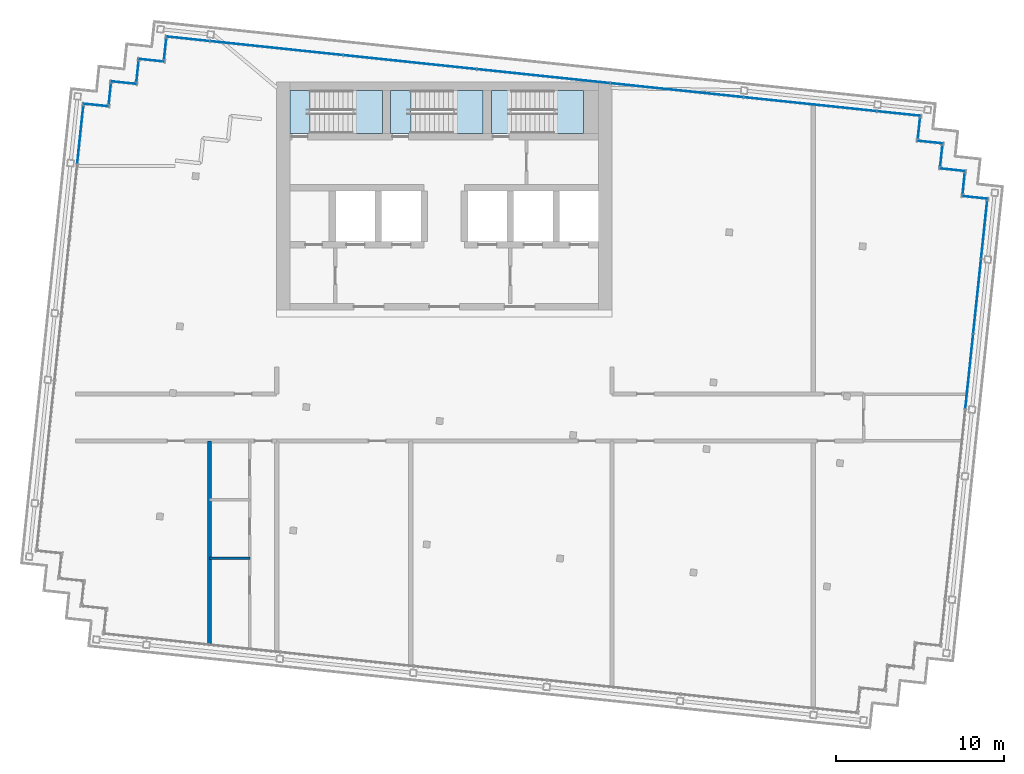
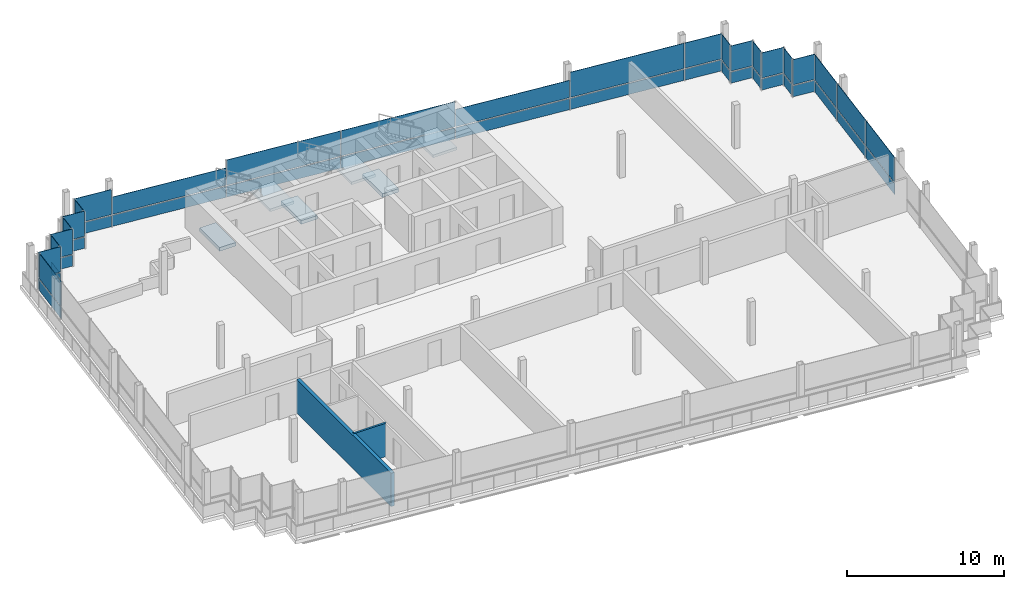
# One storey, part 10 of 15: 46 plates, 6 slabs, 2 walls, 18 elements without a shape of their own.
"""IFC4 building model written with IfcOpenShell, lengths in metres."""

from ifc_helpers import new_model, si_unit, direction, frame, frame_2d, origin, origin_2d, place, context, subcontext, project, spatial, polyline, rectangle, outline, extrude, material, layer, layer_set, type_object, element, aggregate, save


model = new_model("IFC4")

# Units and contexts
model_context = context("Model", 3, precision=1e-05, world=origin(), true_north=direction((0.0, 1.0)))
body_context = subcontext(model_context, "Body", "Model", "MODEL_VIEW")
ifc_project = project(units=[si_unit("LENGTHUNIT", "METRE"), si_unit("AREAUNIT", "SQUARE_METRE"), si_unit("VOLUMEUNIT", "CUBIC_METRE"), si_unit("PLANEANGLEUNIT", "RADIAN"), si_unit("MASSUNIT", "GRAM", prefix="KILO")], contexts=[model_context])

# Site, building, storey
site_placement = place(None, origin())
site = spatial("IfcSite", under=ifc_project, at=site_placement, CompositionType="ELEMENT")
building_placement = place(site_placement, origin())
building = spatial("IfcBuilding", under=site, at=building_placement, Name="Vidyagriha Tower", CompositionType="ELEMENT")
storey_placement = place(building_placement, frame((0.0, 0.0, 298.300048828125)))
storey = spatial("IfcBuildingStorey", under=building, at=storey_placement, Name="L77", CompositionType="ELEMENT", Elevation=298.300048828125)

# Curtain wall, plates
ifc_material_1 = material(Name="Aluminium and glass curtain wall", Category="aluminium")
curtain_wall_type = type_object("IfcCurtainWallType", Name="Lantern glazing wall", PredefinedType="USERDEFINED", material=ifc_material_1)
curtain_wall_1_placement = place(storey_placement, origin())
curtain_wall_1 = element("IfcCurtainWall", 1, at=curtain_wall_1_placement, inside=storey, type_object=curtain_wall_type, Name="CW4 lantern glazing", ObjectType="STICK GLAZING", PredefinedType="USERDEFINED")
ifc_material_2 = material(Name="Glass clear low-iron", Category="glass")
ifc_layer_1 = layer(ifc_material_2, 0.031982421875)
ifc_layer_set_1 = layer_set([ifc_layer_1], Name="Glass clear low-iron")
plate_type = type_object("IfcPlateType", Name="Clear lantern glass panel", PredefinedType="CURTAIN_PANEL", material=ifc_layer_set_1)
plate_1_placement = place(storey_placement, frame((31.64111328125, 13.125244140625, 0.0), z_axis=(0.0, 0.0, 1.0), x_axis=(-0.99452853646, 0.104465258184, 0.0)))
plate_1 = element("IfcPlate", 2, at=plate_1_placement, type_object=plate_type, Name="CW4 panel 1.1", PredefinedType="CURTAIN_PANEL", context=body_context, shape_type="SweptSolid", body=[
    extrude(rectangle(XDim=1.539794921875, YDim=0.031982421875, at=origin_2d()), origin(), (0.0, 0.0, 1.0), 0.860107421875),
])
plate_2_placement = place(storey_placement, frame((31.64111328125, 13.125244140625, 0.93994140625), z_axis=(0.0, 0.0, 1.0), x_axis=(-0.99452853646, 0.104465258184, 0.0)))
plate_2 = element("IfcPlate", 3, at=plate_2_placement, type_object=plate_type, Name="CW4 panel 1.2", PredefinedType="CURTAIN_PANEL", context=body_context, shape_type="SweptSolid", body=[
    extrude(rectangle(XDim=1.539794921875, YDim=0.031982421875, at=origin_2d()), origin(), (0.0, 0.0, 1.0), 1.9599609375),
])
aggregate(curtain_wall_1, [plate_1, plate_2])

curtain_wall_2_placement = place(storey_placement, origin())
curtain_wall_2 = element("IfcCurtainWall", 4, at=curtain_wall_2_placement, inside=storey, type_object=curtain_wall_type, Name="CW4 lantern glazing", ObjectType="STICK GLAZING", PredefinedType="USERDEFINED")
plate_3_placement = place(storey_placement, frame((30.973876953125, 13.949462890625, 0.0), z_axis=(0.0, 0.0, 1.0), x_axis=(0.104475014354, 0.994527511623, 0.0)))
plate_3 = element("IfcPlate", 5, at=plate_3_placement, type_object=plate_type, Name="CW4 panel 1.1", PredefinedType="CURTAIN_PANEL", context=body_context, shape_type="SweptSolid", body=[
    extrude(rectangle(XDim=1.219970703125, YDim=0.031982421875, at=origin_2d()), origin(), (0.0, 0.0, 1.0), 0.860107421875),
])
plate_4_placement = place(storey_placement, frame((30.973876953125, 13.949462890625, 0.93994140625), z_axis=(0.0, 0.0, 1.0), x_axis=(0.104475014354, 0.994527511623, 0.0)))
plate_4 = element("IfcPlate", 6, at=plate_4_placement, type_object=plate_type, Name="CW4 panel 1.2", PredefinedType="CURTAIN_PANEL", context=body_context, shape_type="SweptSolid", body=[
    extrude(rectangle(XDim=1.219970703125, YDim=0.031982421875, at=origin_2d()), origin(), (0.0, 0.0, 1.0), 1.9599609375),
])
aggregate(curtain_wall_2, [plate_3, plate_4])

curtain_wall_3_placement = place(storey_placement, origin())
curtain_wall_3 = element("IfcCurtainWall", 7, at=curtain_wall_3_placement, inside=storey, type_object=curtain_wall_type, Name="CW4 lantern glazing", ObjectType="STICK GLAZING", PredefinedType="USERDEFINED")
plate_5_placement = place(storey_placement, frame((30.30615234375, 14.773681640625, 0.0), z_axis=(0.0, 0.0, 1.0), x_axis=(-0.994522933756, 0.104518583201, 0.0)))
plate_5 = element("IfcPlate", 8, at=plate_5_placement, type_object=plate_type, Name="CW4 panel 1.1", PredefinedType="CURTAIN_PANEL", context=body_context, shape_type="SweptSolid", body=[
    extrude(rectangle(XDim=1.5400390625, YDim=0.031982421875, at=origin_2d()), origin(), (0.0, 0.0, 1.0), 0.860107421875),
])
plate_6_placement = place(storey_placement, frame((30.30615234375, 14.773681640625, 0.93994140625), z_axis=(0.0, 0.0, 1.0), x_axis=(-0.994522933756, 0.104518583201, 0.0)))
plate_6 = element("IfcPlate", 9, at=plate_6_placement, type_object=plate_type, Name="CW4 panel 1.2", PredefinedType="CURTAIN_PANEL", context=body_context, shape_type="SweptSolid", body=[
    extrude(rectangle(XDim=1.5400390625, YDim=0.031982421875, at=origin_2d()), origin(), (0.0, 0.0, 1.0), 1.9599609375),
])
aggregate(curtain_wall_3, [plate_5, plate_6])

curtain_wall_4_placement = place(storey_placement, origin())
curtain_wall_4 = element("IfcCurtainWall", 10, at=curtain_wall_4_placement, inside=storey, type_object=curtain_wall_type, Name="CW4 lantern glazing", ObjectType="STICK GLAZING", PredefinedType="USERDEFINED")
plate_7_placement = place(storey_placement, frame((29.638916015625, 15.59814453125, 0.0), z_axis=(0.0, 0.0, 1.0), x_axis=(0.104556583677, 0.994518939392, 0.0)))
plate_7 = element("IfcPlate", 11, at=plate_7_placement, type_object=plate_type, Name="CW4 panel 1.1", PredefinedType="CURTAIN_PANEL", context=body_context, shape_type="SweptSolid", body=[
    extrude(rectangle(XDim=1.219970703125, YDim=0.031982421875, at=origin_2d()), origin(), (0.0, 0.0, 1.0), 0.860107421875),
])
plate_8_placement = place(storey_placement, frame((29.638916015625, 15.59814453125, 0.93994140625), z_axis=(0.0, 0.0, 1.0), x_axis=(0.104556583677, 0.994518939392, 0.0)))
plate_8 = element("IfcPlate", 12, at=plate_8_placement, type_object=plate_type, Name="CW4 panel 1.2", PredefinedType="CURTAIN_PANEL", context=body_context, shape_type="SweptSolid", body=[
    extrude(rectangle(XDim=1.219970703125, YDim=0.031982421875, at=origin_2d()), origin(), (0.0, 0.0, 1.0), 1.9599609375),
])
aggregate(curtain_wall_4, [plate_7, plate_8])

curtain_wall_5_placement = place(storey_placement, origin())
curtain_wall_5 = element("IfcCurtainWall", 13, at=curtain_wall_5_placement, inside=storey, type_object=curtain_wall_type, Name="CW4 lantern glazing", ObjectType="STICK GLAZING", PredefinedType="USERDEFINED")
plate_9_placement = place(storey_placement, frame((28.97119140625, 16.42236328125, 0.0), z_axis=(0.0, 0.0, 1.0), x_axis=(-0.994522933756, 0.104518583201, 0.0)))
plate_9 = element("IfcPlate", 14, at=plate_9_placement, type_object=plate_type, Name="CW4 panel 1.1", PredefinedType="CURTAIN_PANEL", context=body_context, shape_type="SweptSolid", body=[
    extrude(rectangle(XDim=1.5400390625, YDim=0.031982421875, at=origin_2d()), origin(), (0.0, 0.0, 1.0), 0.860107421875),
])
plate_10_placement = place(storey_placement, frame((28.97119140625, 16.42236328125, 0.93994140625), z_axis=(0.0, 0.0, 1.0), x_axis=(-0.994522933756, 0.104518583201, 0.0)))
plate_10 = element("IfcPlate", 15, at=plate_10_placement, type_object=plate_type, Name="CW4 panel 1.2", PredefinedType="CURTAIN_PANEL", context=body_context, shape_type="SweptSolid", body=[
    extrude(rectangle(XDim=1.5400390625, YDim=0.031982421875, at=origin_2d()), origin(), (0.0, 0.0, 1.0), 1.9599609375),
])
aggregate(curtain_wall_5, [plate_9, plate_10])

curtain_wall_6_placement = place(storey_placement, origin())
curtain_wall_6 = element("IfcCurtainWall", 16, at=curtain_wall_6_placement, inside=storey, type_object=curtain_wall_type, Name="CW4 lantern glazing", ObjectType="STICK GLAZING", PredefinedType="USERDEFINED")
plate_11_placement = place(storey_placement, frame((28.3037109375, 17.24658203125, 0.0), z_axis=(0.0, 0.0, 1.0), x_axis=(0.104556583677, 0.994518939392, 0.0)))
plate_11 = element("IfcPlate", 17, at=plate_11_placement, type_object=plate_type, Name="CW4 panel 1.1", PredefinedType="CURTAIN_PANEL", context=body_context, shape_type="SweptSolid", body=[
    extrude(rectangle(XDim=1.219970703125, YDim=0.031982421875, at=origin_2d()), origin(), (0.0, 0.0, 1.0), 0.860107421875),
])
plate_12_placement = place(storey_placement, frame((28.3037109375, 17.24658203125, 0.93994140625), z_axis=(0.0, 0.0, 1.0), x_axis=(0.104556583677, 0.994518939392, 0.0)))
plate_12 = element("IfcPlate", 18, at=plate_12_placement, type_object=plate_type, Name="CW4 panel 1.2", PredefinedType="CURTAIN_PANEL", context=body_context, shape_type="SweptSolid", body=[
    extrude(rectangle(XDim=1.219970703125, YDim=0.031982421875, at=origin_2d()), origin(), (0.0, 0.0, 1.0), 1.9599609375),
])
aggregate(curtain_wall_6, [plate_11, plate_12])

curtain_wall_7_placement = place(storey_placement, origin())
curtain_wall_7 = element("IfcCurtainWall", 19, at=curtain_wall_7_placement, inside=storey, type_object=curtain_wall_type, Name="CW4 lantern glazing", ObjectType="STICK GLAZING", PredefinedType="USERDEFINED")
plate_13_placement = place(storey_placement, frame((27.114013671875, 18.125732421875, 0.0), z_axis=(0.0, 0.0, 1.0), x_axis=(-0.994521941707, 0.104528022383, 0.0)))
plate_13 = element("IfcPlate", 20, at=plate_13_placement, type_object=plate_type, Name="CW4 panel 1.1", PredefinedType="CURTAIN_PANEL", context=body_context, shape_type="SweptSolid", body=[
    extrude(rectangle(XDim=2.590087890625, YDim=0.031982421875, at=origin_2d()), origin(), (0.0, 0.0, 1.0), 0.860107421875),
])
plate_14_placement = place(storey_placement, frame((27.114013671875, 18.125732421875, 0.93994140625), z_axis=(0.0, 0.0, 1.0), x_axis=(-0.994521941707, 0.104528022383, 0.0)))
plate_14 = element("IfcPlate", 21, at=plate_14_placement, type_object=plate_type, Name="CW4 panel 1.2", PredefinedType="CURTAIN_PANEL", context=body_context, shape_type="SweptSolid", body=[
    extrude(rectangle(XDim=2.590087890625, YDim=0.031982421875, at=origin_2d()), origin(), (0.0, 0.0, 1.0), 1.9599609375),
])
plate_15_placement = place(storey_placement, frame((21.818359375, 18.682373046875, 0.0), z_axis=(0.0, 0.0, 1.0), x_axis=(-0.994521941707, 0.104528022383, 0.0)))
plate_15 = element("IfcPlate", 22, at=plate_15_placement, type_object=plate_type, Name="CW4 panel 2.1", PredefinedType="CURTAIN_PANEL", context=body_context, shape_type="SweptSolid", body=[
    extrude(rectangle(XDim=7.93994140625, YDim=0.031982421875, at=origin_2d()), origin(), (0.0, 0.0, 1.0), 0.860107421875),
])
plate_16_placement = place(storey_placement, frame((21.818359375, 18.682373046875, 0.93994140625), z_axis=(0.0, 0.0, 1.0), x_axis=(-0.994521941707, 0.104528022383, 0.0)))
plate_16 = element("IfcPlate", 23, at=plate_16_placement, type_object=plate_type, Name="CW4 panel 2.2", PredefinedType="CURTAIN_PANEL", context=body_context, shape_type="SweptSolid", body=[
    extrude(rectangle(XDim=7.93994140625, YDim=0.031982421875, at=origin_2d()), origin(), (0.0, 0.0, 1.0), 1.9599609375),
])
plate_17_placement = place(storey_placement, frame((13.862060546875, 19.518798828125, 0.0), z_axis=(0.0, 0.0, 1.0), x_axis=(-0.994521941707, 0.104528022383, 0.0)))
plate_17 = element("IfcPlate", 24, at=plate_17_placement, type_object=plate_type, Name="CW4 panel 3.1", PredefinedType="CURTAIN_PANEL", context=body_context, shape_type="SweptSolid", body=[
    extrude(rectangle(XDim=7.93994140625, YDim=0.031982421875, at=origin_2d()), origin(), (0.0, 0.0, 1.0), 0.860107421875),
])
plate_18_placement = place(storey_placement, frame((13.862060546875, 19.518798828125, 0.93994140625), z_axis=(0.0, 0.0, 1.0), x_axis=(-0.994521941707, 0.104528022383, 0.0)))
plate_18 = element("IfcPlate", 25, at=plate_18_placement, type_object=plate_type, Name="CW4 panel 3.2", PredefinedType="CURTAIN_PANEL", context=body_context, shape_type="SweptSolid", body=[
    extrude(rectangle(XDim=7.93994140625, YDim=0.031982421875, at=origin_2d()), origin(), (0.0, 0.0, 1.0), 1.347900390625),
])
plate_19_placement = place(storey_placement, frame((5.906005859375, 20.35498046875, 0.0), z_axis=(0.0, 0.0, 1.0), x_axis=(-0.994521941707, 0.104528022383, 0.0)))
plate_19 = element("IfcPlate", 26, at=plate_19_placement, type_object=plate_type, Name="CW4 panel 4.1", PredefinedType="CURTAIN_PANEL", context=body_context, shape_type="SweptSolid", body=[
    extrude(rectangle(XDim=7.93994140625, YDim=0.031982421875, at=origin_2d()), origin(), (0.0, 0.0, 1.0), 0.860107421875),
])
plate_20_placement = place(storey_placement, frame((5.906005859375, 20.35498046875, 0.93994140625), z_axis=(0.0, 0.0, 1.0), x_axis=(-0.994521941707, 0.104528022383, 0.0)))
plate_20 = element("IfcPlate", 27, at=plate_20_placement, type_object=plate_type, Name="CW4 panel 4.2", PredefinedType="CURTAIN_PANEL", context=body_context, shape_type="SweptSolid", body=[
    extrude(rectangle(XDim=7.93994140625, YDim=0.031982421875, at=origin_2d()), origin(), (0.0, 0.0, 1.0), 1.9599609375),
])
plate_21_placement = place(storey_placement, frame((-2.05029296875, 21.191162109375, 0.0), z_axis=(0.0, 0.0, 1.0), x_axis=(-0.994521941707, 0.104528022383, 0.0)))
plate_21 = element("IfcPlate", 28, at=plate_21_placement, type_object=plate_type, Name="CW4 panel 5.1", PredefinedType="CURTAIN_PANEL", context=body_context, shape_type="SweptSolid", body=[
    extrude(rectangle(XDim=7.93994140625, YDim=0.031982421875, at=origin_2d()), origin(), (0.0, 0.0, 1.0), 0.860107421875),
])
plate_22_placement = place(storey_placement, frame((-2.05029296875, 21.191162109375, 0.93994140625), z_axis=(0.0, 0.0, 1.0), x_axis=(-0.994521941707, 0.104528022383, 0.0)))
plate_22 = element("IfcPlate", 29, at=plate_22_placement, type_object=plate_type, Name="CW4 panel 5.2", PredefinedType="CURTAIN_PANEL", context=body_context, shape_type="SweptSolid", body=[
    extrude(rectangle(XDim=7.93994140625, YDim=0.031982421875, at=origin_2d()), origin(), (0.0, 0.0, 1.0), 1.9599609375),
])
plate_23_placement = place(storey_placement, frame((-10.00634765625, 22.02734375, 0.0), z_axis=(0.0, 0.0, 1.0), x_axis=(-0.994521941707, 0.104528022383, 0.0)))
plate_23 = element("IfcPlate", 30, at=plate_23_placement, type_object=plate_type, Name="CW4 panel 6.1", PredefinedType="CURTAIN_PANEL", context=body_context, shape_type="SweptSolid", body=[
    extrude(rectangle(XDim=7.93994140625, YDim=0.031982421875, at=origin_2d()), origin(), (0.0, 0.0, 1.0), 0.860107421875),
])
plate_24_placement = place(storey_placement, frame((-10.00634765625, 22.02734375, 0.93994140625), z_axis=(0.0, 0.0, 1.0), x_axis=(-0.994521941707, 0.104528022383, 0.0)))
plate_24 = element("IfcPlate", 31, at=plate_24_placement, type_object=plate_type, Name="CW4 panel 6.2", PredefinedType="CURTAIN_PANEL", context=body_context, shape_type="SweptSolid", body=[
    extrude(rectangle(XDim=7.93994140625, YDim=0.031982421875, at=origin_2d()), origin(), (0.0, 0.0, 1.0), 1.347900390625),
])
plate_25_placement = place(storey_placement, frame((-15.30224609375, 22.583984375, 0.0), z_axis=(0.0, 0.0, 1.0), x_axis=(-0.994521941707, 0.104528022383, 0.0)))
plate_25 = element("IfcPlate", 32, at=plate_25_placement, type_object=plate_type, Name="CW4 panel 7.1", PredefinedType="CURTAIN_PANEL", context=body_context, shape_type="SweptSolid", body=[
    extrude(rectangle(XDim=2.590087890625, YDim=0.031982421875, at=origin_2d()), origin(), (0.0, 0.0, 1.0), 0.860107421875),
])
plate_26_placement = place(storey_placement, frame((-15.30224609375, 22.583984375, 0.93994140625), z_axis=(0.0, 0.0, 1.0), x_axis=(-0.994521941707, 0.104528022383, 0.0)))
plate_26 = element("IfcPlate", 33, at=plate_26_placement, type_object=plate_type, Name="CW4 panel 7.2", PredefinedType="CURTAIN_PANEL", context=body_context, shape_type="SweptSolid", body=[
    extrude(rectangle(XDim=2.590087890625, YDim=0.031982421875, at=origin_2d()), origin(), (0.0, 0.0, 1.0), 1.9599609375),
])
aggregate(curtain_wall_7, [plate_13, plate_14, plate_15, plate_16, plate_17, plate_18, plate_19, plate_20, plate_21, plate_22, plate_23, plate_24, plate_25, plate_26])

curtain_wall_8_placement = place(storey_placement, origin())
curtain_wall_8 = element("IfcCurtainWall", 34, at=curtain_wall_8_placement, inside=storey, type_object=curtain_wall_type, Name="CW4 lantern glazing", ObjectType="STICK GLAZING", PredefinedType="USERDEFINED")
plate_27_placement = place(storey_placement, frame((-16.648681640625, 21.971435546875, 0.0), z_axis=(0.0, 0.0, 1.0), x_axis=(-0.104548823962, -0.994519755162, 0.0)))
plate_27 = element("IfcPlate", 35, at=plate_27_placement, type_object=plate_type, Name="CW4 panel 1.1", PredefinedType="CURTAIN_PANEL", context=body_context, shape_type="SweptSolid", body=[
    extrude(rectangle(XDim=1.219970703125, YDim=0.031982421875, at=origin_2d()), origin(), (0.0, 0.0, 1.0), 0.860107421875),
])
plate_28_placement = place(storey_placement, frame((-16.648681640625, 21.971435546875, 0.93994140625), z_axis=(0.0, 0.0, 1.0), x_axis=(-0.104548823962, -0.994519755162, 0.0)))
plate_28 = element("IfcPlate", 36, at=plate_28_placement, type_object=plate_type, Name="CW4 panel 1.2", PredefinedType="CURTAIN_PANEL", context=body_context, shape_type="SweptSolid", body=[
    extrude(rectangle(XDim=1.219970703125, YDim=0.031982421875, at=origin_2d()), origin(), (0.0, 0.0, 1.0), 1.9599609375),
])
aggregate(curtain_wall_8, [plate_27, plate_28])

curtain_wall_9_placement = place(storey_placement, origin())
curtain_wall_9 = element("IfcCurtainWall", 37, at=curtain_wall_9_placement, inside=storey, type_object=curtain_wall_type, Name="CW4 lantern glazing", ObjectType="STICK GLAZING", PredefinedType="USERDEFINED")
plate_29_placement = place(storey_placement, frame((-17.472900390625, 21.303955078125, 0.0), z_axis=(0.0, 0.0, 1.0), x_axis=(-0.994522933756, 0.104518583201, 0.0)))
plate_29 = element("IfcPlate", 38, at=plate_29_placement, type_object=plate_type, Name="CW4 panel 1.1", PredefinedType="CURTAIN_PANEL", context=body_context, shape_type="SweptSolid", body=[
    extrude(rectangle(XDim=1.5400390625, YDim=0.031982421875, at=origin_2d()), origin(), (0.0, 0.0, 1.0), 0.860107421875),
])
plate_30_placement = place(storey_placement, frame((-17.472900390625, 21.303955078125, 0.93994140625), z_axis=(0.0, 0.0, 1.0), x_axis=(-0.994522933756, 0.104518583201, 0.0)))
plate_30 = element("IfcPlate", 39, at=plate_30_placement, type_object=plate_type, Name="CW4 panel 1.2", PredefinedType="CURTAIN_PANEL", context=body_context, shape_type="SweptSolid", body=[
    extrude(rectangle(XDim=1.5400390625, YDim=0.031982421875, at=origin_2d()), origin(), (0.0, 0.0, 1.0), 1.9599609375),
])
aggregate(curtain_wall_9, [plate_29, plate_30])

curtain_wall_10_placement = place(storey_placement, origin())
curtain_wall_10 = element("IfcCurtainWall", 40, at=curtain_wall_10_placement, inside=storey, type_object=curtain_wall_type, Name="CW4 lantern glazing", ObjectType="STICK GLAZING", PredefinedType="USERDEFINED")
plate_31_placement = place(storey_placement, frame((-18.297119140625, 20.636474609375, 0.0), z_axis=(0.0, 0.0, 1.0), x_axis=(-0.104548823962, -0.994519755162, 0.0)))
plate_31 = element("IfcPlate", 41, at=plate_31_placement, type_object=plate_type, Name="CW4 panel 1.1", PredefinedType="CURTAIN_PANEL", context=body_context, shape_type="SweptSolid", body=[
    extrude(rectangle(XDim=1.219970703125, YDim=0.031982421875, at=origin_2d()), origin(), (0.0, 0.0, 1.0), 0.860107421875),
])
plate_32_placement = place(storey_placement, frame((-18.297119140625, 20.636474609375, 0.93994140625), z_axis=(0.0, 0.0, 1.0), x_axis=(-0.104548823962, -0.994519755162, 0.0)))
plate_32 = element("IfcPlate", 42, at=plate_32_placement, type_object=plate_type, Name="CW4 panel 1.2", PredefinedType="CURTAIN_PANEL", context=body_context, shape_type="SweptSolid", body=[
    extrude(rectangle(XDim=1.219970703125, YDim=0.031982421875, at=origin_2d()), origin(), (0.0, 0.0, 1.0), 1.9599609375),
])
aggregate(curtain_wall_10, [plate_31, plate_32])

curtain_wall_11_placement = place(storey_placement, origin())
curtain_wall_11 = element("IfcCurtainWall", 43, at=curtain_wall_11_placement, inside=storey, type_object=curtain_wall_type, Name="CW4 lantern glazing", ObjectType="STICK GLAZING", PredefinedType="USERDEFINED")
plate_33_placement = place(storey_placement, frame((-19.12158203125, 19.96875, 0.0), z_axis=(0.0, 0.0, 1.0), x_axis=(-0.994523591781, 0.104512321721, 0.0)))
plate_33 = element("IfcPlate", 44, at=plate_33_placement, type_object=plate_type, Name="CW4 panel 1.1", PredefinedType="CURTAIN_PANEL", context=body_context, shape_type="SweptSolid", body=[
    extrude(rectangle(XDim=1.5400390625, YDim=0.031982421875, at=origin_2d()), origin(), (0.0, 0.0, 1.0), 0.860107421875),
])
plate_34_placement = place(storey_placement, frame((-19.12158203125, 19.96875, 0.93994140625), z_axis=(0.0, 0.0, 1.0), x_axis=(-0.994523591781, 0.104512321721, 0.0)))
plate_34 = element("IfcPlate", 45, at=plate_34_placement, type_object=plate_type, Name="CW4 panel 1.2", PredefinedType="CURTAIN_PANEL", context=body_context, shape_type="SweptSolid", body=[
    extrude(rectangle(XDim=1.5400390625, YDim=0.031982421875, at=origin_2d()), origin(), (0.0, 0.0, 1.0), 1.9599609375),
])
aggregate(curtain_wall_11, [plate_33, plate_34])

curtain_wall_12_placement = place(storey_placement, origin())
curtain_wall_12 = element("IfcCurtainWall", 46, at=curtain_wall_12_placement, inside=storey, type_object=curtain_wall_type, Name="CW4 lantern glazing", ObjectType="STICK GLAZING", PredefinedType="USERDEFINED")
plate_35_placement = place(storey_placement, frame((-19.94580078125, 19.301513671875, 0.0), z_axis=(0.0, 0.0, 1.0), x_axis=(-0.10456434453, -0.994518123441, 0.0)))
plate_35 = element("IfcPlate", 47, at=plate_35_placement, type_object=plate_type, Name="CW4 panel 1.1", PredefinedType="CURTAIN_PANEL", context=body_context, shape_type="SweptSolid", body=[
    extrude(rectangle(XDim=1.2197265625, YDim=0.031982421875, at=origin_2d()), origin(), (0.0, 0.0, 1.0), 0.860107421875),
])
plate_36_placement = place(storey_placement, frame((-19.94580078125, 19.301513671875, 0.93994140625), z_axis=(0.0, 0.0, 1.0), x_axis=(-0.10456434453, -0.994518123441, 0.0)))
plate_36 = element("IfcPlate", 48, at=plate_36_placement, type_object=plate_type, Name="CW4 panel 1.2", PredefinedType="CURTAIN_PANEL", context=body_context, shape_type="SweptSolid", body=[
    extrude(rectangle(XDim=1.2197265625, YDim=0.031982421875, at=origin_2d()), origin(), (0.0, 0.0, 1.0), 1.9599609375),
])
aggregate(curtain_wall_12, [plate_35, plate_36])

curtain_wall_13_placement = place(storey_placement, origin())
curtain_wall_13 = element("IfcCurtainWall", 49, at=curtain_wall_13_placement, inside=storey, type_object=curtain_wall_type, Name="CW4 lantern glazing", ObjectType="STICK GLAZING", PredefinedType="USERDEFINED")
plate_37_placement = place(storey_placement, frame((-20.77001953125, 18.634033203125, 0.0), z_axis=(0.0, 0.0, 1.0), x_axis=(-0.994529851134, 0.104452741485, 0.0)))
plate_37 = element("IfcPlate", 50, at=plate_37_placement, type_object=plate_type, Name="CW4 panel 1.1", PredefinedType="CURTAIN_PANEL", context=body_context, shape_type="SweptSolid", body=[
    extrude(rectangle(XDim=1.5400390625, YDim=0.031982421875, at=origin_2d()), origin(), (0.0, 0.0, 1.0), 0.860107421875),
])
plate_38_placement = place(storey_placement, frame((-20.77001953125, 18.634033203125, 0.93994140625), z_axis=(0.0, 0.0, 1.0), x_axis=(-0.994529851134, 0.104452741485, 0.0)))
plate_38 = element("IfcPlate", 51, at=plate_38_placement, type_object=plate_type, Name="CW4 panel 1.2", PredefinedType="CURTAIN_PANEL", context=body_context, shape_type="SweptSolid", body=[
    extrude(rectangle(XDim=1.5400390625, YDim=0.031982421875, at=origin_2d()), origin(), (0.0, 0.0, 1.0), 1.9599609375),
])
aggregate(curtain_wall_13, [plate_37, plate_38])

curtain_wall_14_placement = place(storey_placement, origin())
curtain_wall_14 = element("IfcCurtainWall", 52, at=curtain_wall_14_placement, inside=storey, type_object=curtain_wall_type, Name="CW4 lantern glazing", ObjectType="STICK GLAZING", PredefinedType="USERDEFINED")
plate_39_placement = place(storey_placement, frame((-21.7099609375, 16.867431640625, 0.0), z_axis=(0.0, 0.0, 1.0), x_axis=(-0.104527289697, -0.994522018715, 0.0)))
plate_39 = element("IfcPlate", 53, at=plate_39_placement, type_object=plate_type, Name="CW4 panel 1.1", PredefinedType="CURTAIN_PANEL", context=body_context, shape_type="SweptSolid", body=[
    extrude(rectangle(XDim=3.429931640625, YDim=0.031982421875, at=origin_2d()), origin(), (0.0, 0.0, 1.0), 0.860107421875),
])
plate_40_placement = place(storey_placement, frame((-21.7099609375, 16.867431640625, 0.93994140625), z_axis=(0.0, 0.0, 1.0), x_axis=(-0.104527289697, -0.994522018715, 0.0)))
plate_40 = element("IfcPlate", 54, at=plate_40_placement, type_object=plate_type, Name="CW4 panel 1.2", PredefinedType="CURTAIN_PANEL", context=body_context, shape_type="SweptSolid", body=[
    extrude(rectangle(XDim=3.429931640625, YDim=0.031982421875, at=origin_2d()), origin(), (0.0, 0.0, 1.0), 1.9599609375),
])
aggregate(curtain_wall_14, [plate_39, plate_40])

curtain_wall_15_placement = place(storey_placement, origin())
curtain_wall_15 = element("IfcCurtainWall", 55, at=curtain_wall_15_placement, inside=storey, type_object=curtain_wall_type, Name="CW4 lantern glazing", ObjectType="STICK GLAZING", PredefinedType="USERDEFINED")
plate_41_placement = place(storey_placement, frame((31.30517578125, 2.75341796875, 0.0), z_axis=(0.0, 0.0, 1.0), x_axis=(0.104526899479, 0.994522059728, 0.0)))
plate_41 = element("IfcPlate", 56, at=plate_41_placement, type_object=plate_type, Name="CW4 panel 4.1", PredefinedType="CURTAIN_PANEL", context=body_context, shape_type="SweptSolid", body=[
    extrude(rectangle(XDim=4.43994140625, YDim=0.031982421875, at=origin_2d()), origin(), (0.0, 0.0, 1.0), 0.860107421875),
])
plate_42_placement = place(storey_placement, frame((31.30517578125, 2.75341796875, 0.93994140625), z_axis=(0.0, 0.0, 1.0), x_axis=(0.104526899479, 0.994522059728, 0.0)))
plate_42 = element("IfcPlate", 57, at=plate_42_placement, type_object=plate_type, Name="CW4 panel 4.2", PredefinedType="CURTAIN_PANEL", context=body_context, shape_type="SweptSolid", body=[
    extrude(rectangle(XDim=4.43994140625, YDim=0.031982421875, at=origin_2d()), origin(), (0.0, 0.0, 1.0), 1.9599609375),
])
plate_43_placement = place(storey_placement, frame((31.775634765625, 7.22900390625, 0.0), z_axis=(0.0, 0.0, 1.0), x_axis=(0.104526899479, 0.994522059728, 0.0)))
plate_43 = element("IfcPlate", 58, at=plate_43_placement, type_object=plate_type, Name="CW4 panel 5.1", PredefinedType="CURTAIN_PANEL", context=body_context, shape_type="SweptSolid", body=[
    extrude(rectangle(XDim=4.43994140625, YDim=0.031982421875, at=origin_2d()), origin(), (0.0, 0.0, 1.0), 0.860107421875),
])
plate_44_placement = place(storey_placement, frame((31.775634765625, 7.22900390625, 0.93994140625), z_axis=(0.0, 0.0, 1.0), x_axis=(0.104526899479, 0.994522059728, 0.0)))
plate_44 = element("IfcPlate", 59, at=plate_44_placement, type_object=plate_type, Name="CW4 panel 5.2", PredefinedType="CURTAIN_PANEL", context=body_context, shape_type="SweptSolid", body=[
    extrude(rectangle(XDim=4.43994140625, YDim=0.031982421875, at=origin_2d()), origin(), (0.0, 0.0, 1.0), 1.9599609375),
])
plate_45_placement = place(storey_placement, frame((32.193115234375, 11.201904296875, 0.0), z_axis=(0.0, 0.0, 1.0), x_axis=(0.104526899479, 0.994522059728, 0.0)))
plate_45 = element("IfcPlate", 60, at=plate_45_placement, type_object=plate_type, Name="CW4 panel 6.1", PredefinedType="CURTAIN_PANEL", context=body_context, shape_type="SweptSolid", body=[
    extrude(rectangle(XDim=3.43017578125, YDim=0.031982421875, at=origin_2d()), origin(), (0.0, 0.0, 1.0), 0.860107421875),
])
plate_46_placement = place(storey_placement, frame((32.193115234375, 11.201904296875, 0.93994140625), z_axis=(0.0, 0.0, 1.0), x_axis=(0.104526899479, 0.994522059728, 0.0)))
plate_46 = element("IfcPlate", 61, at=plate_46_placement, type_object=plate_type, Name="CW4 panel 6.2", PredefinedType="CURTAIN_PANEL", context=body_context, shape_type="SweptSolid", body=[
    extrude(rectangle(XDim=3.43017578125, YDim=0.031982421875, at=origin_2d()), origin(), (0.0, 0.0, 1.0), 1.9599609375),
])
aggregate(curtain_wall_15, [plate_41, plate_42, plate_43, plate_44, plate_45, plate_46])

# Slabs
ifc_material_3 = material(Name="Concrete C40/50", Category="concrete")
ifc_layer_2 = layer(ifc_material_3, 0.280029296875)
ifc_layer_set_2 = layer_set([ifc_layer_2], Name="Concrete C40/50")
slab_type_1 = type_object("IfcSlabType", Name="Exit stair floor landing 280 mm", PredefinedType="LANDING", material=ifc_layer_set_2)
slab_1_placement = place(storey_placement, frame((0.0, 0.0, -0.280029296875)))
element("IfcSlab", 62, at=slab_1_placement, inside=storey, type_object=slab_type_1, Name="ST1 floor landing L77", PredefinedType="LANDING", context=body_context, shape_type="SweptSolid", body=[
    extrude(outline(polyline([(-9.199951171875, 16.949951171875), (-8.0, 16.949951171875), (-8.0, 19.5), (-9.199951171875, 19.5), (-9.199951171875, 16.949951171875)])), origin(), (0.0, 0.0, 1.0), 0.280029296875),
])
slab_2_placement = place(storey_placement, frame((0.0, 0.0, -0.280029296875)))
element("IfcSlab", 63, at=slab_2_placement, inside=storey, type_object=slab_type_1, Name="ST2 floor landing L77", PredefinedType="LANDING", context=body_context, shape_type="SweptSolid", body=[
    extrude(outline(polyline([(-3.199951171875, 16.949951171875), (-2.0, 16.949951171875), (-2.0, 19.5), (-3.199951171875, 19.5), (-3.199951171875, 16.949951171875)])), origin(), (0.0, 0.0, 1.0), 0.280029296875),
])
slab_3_placement = place(storey_placement, frame((0.0, 0.0, -0.280029296875)))
element("IfcSlab", 64, at=slab_3_placement, inside=storey, type_object=slab_type_1, Name="ST3 floor landing L77", PredefinedType="LANDING", context=body_context, shape_type="SweptSolid", body=[
    extrude(outline(polyline([(2.800048828125, 16.949951171875), (4.0, 16.949951171875), (4.0, 19.5), (2.800048828125, 19.5), (2.800048828125, 16.949951171875)])), origin(), (0.0, 0.0, 1.0), 0.280029296875),
])

# Stair, slab
ifc_material_4 = material(Name="Concrete C40/50", Category="concrete")
stair_type = type_object("IfcStairType", Name="Exit stair, half-turn, precast flights", PredefinedType="HALF_TURN_STAIR", material=ifc_material_4)
stair_1_placement = place(storey_placement, origin())
stair_1 = element("IfcStair", 65, at=stair_1_placement, inside=storey, type_object=stair_type, Name="L77 Exit Stair ST1", PredefinedType="HALF_TURN_STAIR")
ifc_material_5 = material(Name="Concrete C40/50", Category="concrete")
ifc_layer_3 = layer(ifc_material_5, 0.199951171875)
ifc_layer_set_3 = layer_set([ifc_layer_3], Name="Concrete C40/50")
slab_type_2 = type_object("IfcSlabType", Name="Exit stair landing 200 mm", PredefinedType="LANDING", material=ifc_layer_set_3)
slab_4_placement = place(storey_placement, frame((0.0, 0.0, 1.5)))
slab_4 = element("IfcSlab", 66, at=slab_4_placement, type_object=slab_type_2, Name="ST1 landing 1", PredefinedType="LANDING", context=body_context, shape_type="SweptSolid", body=[
    extrude(outline(polyline([(-5.47998046875, 16.949951171875), (-3.699951171875, 16.949951171875), (-3.699951171875, 19.5), (-5.47998046875, 19.5), (-5.47998046875, 16.949951171875)])), origin(), (0.0, 0.0, 1.0), 0.199951171875),
])
aggregate(stair_1, [slab_4])

stair_2_placement = place(storey_placement, origin())
stair_2 = element("IfcStair", 67, at=stair_2_placement, inside=storey, type_object=stair_type, Name="L77 Exit Stair ST2", PredefinedType="HALF_TURN_STAIR")
slab_5_placement = place(storey_placement, frame((0.0, 0.0, 1.5)))
slab_5 = element("IfcSlab", 68, at=slab_5_placement, type_object=slab_type_2, Name="ST2 landing 1", PredefinedType="LANDING", context=body_context, shape_type="SweptSolid", body=[
    extrude(outline(polyline([(0.52001953125, 16.949951171875), (2.300048828125, 16.949951171875), (2.300048828125, 19.5), (0.52001953125, 19.5), (0.52001953125, 16.949951171875)])), origin(), (0.0, 0.0, 1.0), 0.199951171875),
])
aggregate(stair_2, [slab_5])

stair_3_placement = place(storey_placement, origin())
stair_3 = element("IfcStair", 69, at=stair_3_placement, inside=storey, type_object=stair_type, Name="L77 Exit Stair ST3", PredefinedType="HALF_TURN_STAIR")
slab_6_placement = place(storey_placement, frame((0.0, 0.0, 1.5)))
slab_6 = element("IfcSlab", 70, at=slab_6_placement, type_object=slab_type_2, Name="ST3 landing 1", PredefinedType="LANDING", context=body_context, shape_type="SweptSolid", body=[
    extrude(outline(polyline([(6.52001953125, 16.949951171875), (8.300048828125, 16.949951171875), (8.300048828125, 19.5), (6.52001953125, 19.5), (6.52001953125, 16.949951171875)])), origin(), (0.0, 0.0, 1.0), 0.199951171875),
])
aggregate(stair_3, [slab_6])

# Walls
ifc_material_6 = material(Name="Fired clay brick masonry", Category="masonry")
ifc_layer_4 = layer(ifc_material_6, 0.25)
ifc_layer_set_4 = layer_set([ifc_layer_4], Name="Fired clay brick masonry")
wall_type_1 = type_object("IfcWallType", Name="Fired clay brick demising wall 250", PredefinedType="PARTITIONING", material=ifc_layer_set_4)
wall_1_placement = place(storey_placement, frame((-14.0, -1.39990234375, 0.0), z_axis=(0.0, 0.0, 1.0), x_axis=(0.0, -1.0, 0.0)))
element("IfcWall", 71, at=wall_1_placement, inside=storey, type_object=wall_type_1, Name="Wall all-L77-w010", PredefinedType="PARTITIONING", context=body_context, shape_type="SweptSolid", body=[
    extrude(rectangle(XDim=12.07080078125, YDim=0.25, at=frame_2d((6.035400390625, 0.0))), origin(), (0.0, 0.0, 1.0), 2.599853515625),
])
ifc_material_7 = material(Name="Gypsum board partition")
ifc_layer_5 = layer(ifc_material_7, 0.14990234375)
ifc_layer_set_5 = layer_set([ifc_layer_5], Name="Gypsum board partition")
wall_type_2 = type_object("IfcWallType", Name="Gypsum board partition 150", PredefinedType="PARTITIONING", material=ifc_layer_set_5)
wall_2_placement = place(storey_placement, frame((-11.60009765625, -8.39990234375, 0.0), z_axis=(0.0, 0.0, 1.0), x_axis=(-1.0, 0.0, 0.0)))
element("IfcWall", 72, at=wall_2_placement, inside=storey, type_object=wall_type_2, Name="Wall all-L77-w006", PredefinedType="PARTITIONING", context=body_context, shape_type="SweptSolid", body=[
    extrude(rectangle(XDim=2.39990234375, YDim=0.14990234375, at=frame_2d((1.199951171875, 0.0))), origin(), (0.0, 0.0, 1.0), 2.599853515625),
])

save(model, "model.ifc")
